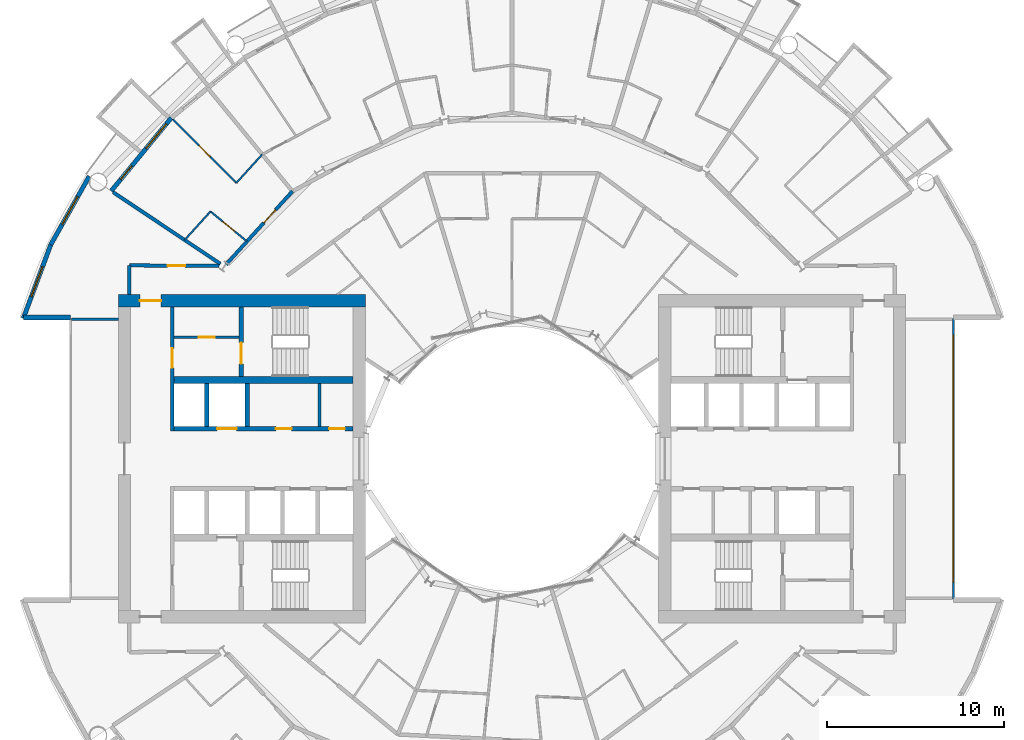
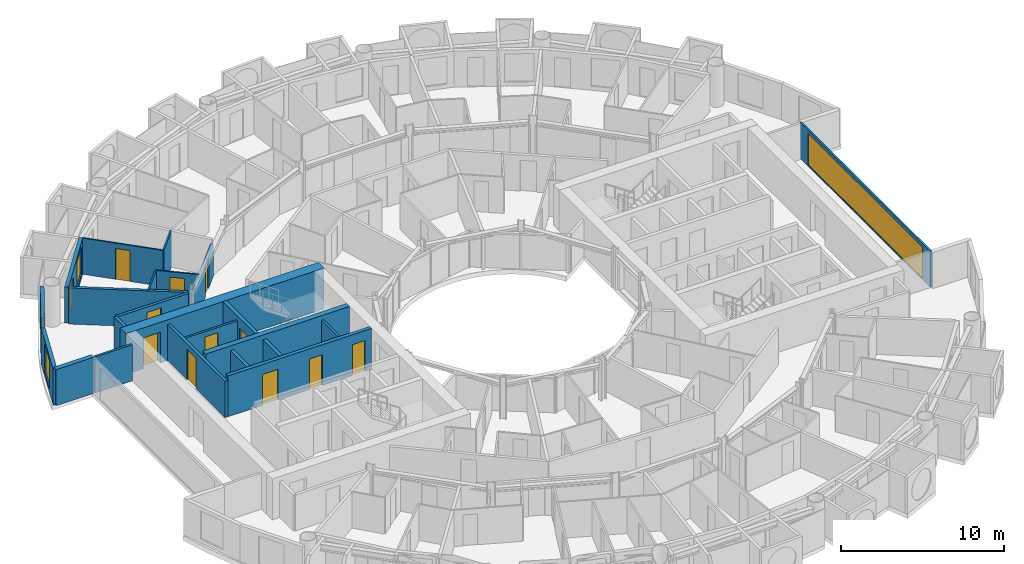
# One storey, part 18 of 26: 23 walls, 12 doors, 4 windows, 16 openings.
"""IFC4 building model written with IfcOpenShell, lengths in metres."""

from ifc_helpers import new_model, si_unit, direction, frame, frame_2d, origin, place, context, subcontext, project, spatial, rectangle, extrude, material, layer, layer_set, type_object, element, fill, save


model = new_model("IFC4")

# Units and contexts
model_context = context("Model", 3, precision=1e-05, world=origin(), true_north=direction((0.0, 1.0)))
body_context = subcontext(model_context, "Body", "Model", "MODEL_VIEW")
ifc_project = project(units=[si_unit("LENGTHUNIT", "METRE"), si_unit("AREAUNIT", "SQUARE_METRE"), si_unit("VOLUMEUNIT", "CUBIC_METRE"), si_unit("PLANEANGLEUNIT", "RADIAN"), si_unit("MASSUNIT", "GRAM", prefix="KILO")], contexts=[model_context])

# Site, building, storey
site_placement = place(None, origin())
site = spatial("IfcSite", under=ifc_project, at=site_placement, CompositionType="ELEMENT")
building_placement = place(site_placement, origin())
building = spatial("IfcBuilding", under=site, at=building_placement, Name="Maasbend Ring Residences", CompositionType="ELEMENT")
storey_placement = place(building_placement, frame((0.0, 0.0, 75.800048828125)))
storey = spatial("IfcBuildingStorey", under=building, at=storey_placement, Name="L21", CompositionType="ELEMENT", Elevation=75.800048828125)

# Wall, openings, doors
ifc_material_1 = material(Name="Concrete C70/85", Category="concrete")
ifc_layer_1 = layer(ifc_material_1, 0.25)
ifc_layer_set_1 = layer_set([ifc_layer_1], Name="Concrete C70/85")
wall_type_1 = type_object("IfcWallType", Name="CORE WALL 250 C70/85", PredefinedType="SHEAR", material=ifc_layer_set_1)
wall_1_placement = place(storey_placement, frame((-19.14990234375, 1.699951171875, 0.0), z_axis=(0.0, 0.0, 1.0), x_axis=(1.0, 0.0, 0.0)))
wall_1 = element("IfcWall", 1, at=wall_1_placement, inside=storey, type_object=wall_type_1, Name="L21 core W wall SPS", PredefinedType="SHEAR", context=body_context, shape_type="SweptSolid", body=[
    extrude(rectangle(XDim=10.14990234375, YDim=0.25, at=frame_2d((5.074951171875, 0.0))), origin(), (0.0, 0.0, 1.0), 3.050048828125),
])
opening_1_placement = place(wall_1_placement, frame((2.449951171875, 0.0, 0.0)))
opening_1 = element("IfcOpeningElement", 2, at=opening_1_placement, cuts=wall_1, Name="Opening LD-W2105", PredefinedType="OPENING", context=body_context, shape_type="SweptSolid", body=[
    extrude(rectangle(XDim=1.10009765625, YDim=2.300048828125, at=frame_2d((0.550048828125, 1.14990234375))), frame((0.0, 0.135009765625, 0.0), z_axis=(0.0, -1.0, 0.0), x_axis=(1.0, 0.0, 0.0)), (0.0, 0.0, 1.0), 0.27001953125),
])
opening_2_placement = place(wall_1_placement, frame((8.78759765625, 0.0, 0.0)))
opening_2 = element("IfcOpeningElement", 3, at=opening_2_placement, cuts=wall_1, Name="Opening D-W2106", PredefinedType="OPENING", context=body_context, shape_type="SweptSolid", body=[
    extrude(rectangle(XDim=0.89990234375, YDim=2.300048828125, at=frame_2d((0.449951171875, 1.14990234375))), frame((0.0, 0.135009765625, 0.0), z_axis=(0.0, -1.0, 0.0), x_axis=(1.0, 0.0, 0.0)), (0.0, 0.0, 1.0), 0.27001953125),
])
opening_3_placement = place(wall_1_placement, frame((5.77490234375, 0.0, 0.0)))
opening_3 = element("IfcOpeningElement", 4, at=opening_3_placement, cuts=wall_1, Name="Opening D-W2107", PredefinedType="OPENING", context=body_context, shape_type="SweptSolid", body=[
    extrude(rectangle(XDim=0.89990234375, YDim=2.300048828125, at=frame_2d((0.449951171875, 1.14990234375))), frame((0.0, 0.135009765625, 0.0), z_axis=(0.0, -1.0, 0.0), x_axis=(1.0, 0.0, 0.0)), (0.0, 0.0, 1.0), 0.27001953125),
])
ifc_material_2 = material(Name="Stainless steel 316", Category="steel")
door_type_1 = type_object("IfcDoorType", Name="LANDING DOOR 1100 X 2300 FD60", OperationType="DOUBLE_DOOR_SLIDING", PredefinedType="DOOR", material=ifc_material_2)
door_1_placement = place(opening_1_placement, origin())
door_1 = element("IfcDoor", 5, at=door_1_placement, inside=storey, type_object=door_type_1, Name="Landing door SV-W L21", OperationType="DOUBLE_DOOR_SLIDING", OverallHeight=2.300048828125, OverallWidth=1.10009765625, PredefinedType="DOOR", context=body_context, shape_type="SweptSolid", body=[
    extrude(rectangle(XDim=1.10009765625, YDim=2.300048828125, at=frame_2d((0.550048828125, 1.14990234375))), frame((0.0, 0.02490234375, 0.0), z_axis=(0.0, -1.0, 0.0), x_axis=(1.0, 0.0, 0.0)), (0.0, 0.0, 1.0), 0.050048828125),
])
fill(opening_1, door_1)
ifc_material_3 = material(Name="Steel, powder coated", Category="steel")
door_type_2 = type_object("IfcDoorType", Name="ROOM DOOR 900 X 2300 FD30S", OperationType="NOTDEFINED", PredefinedType="DOOR", material=ifc_material_3)
door_2_placement = place(opening_2_placement, origin())
door_2 = element("IfcDoor", 6, at=door_2_placement, inside=storey, type_object=door_type_2, Name="Room door L21", OperationType="SINGLE_SWING_LEFT", OverallHeight=2.300048828125, OverallWidth=0.89990234375, PredefinedType="DOOR", context=body_context, shape_type="SweptSolid", body=[
    extrude(rectangle(XDim=0.89990234375, YDim=2.300048828125, at=frame_2d((0.449951171875, 1.14990234375))), frame((0.0, 0.02490234375, 0.0), z_axis=(0.0, -1.0, 0.0), x_axis=(1.0, 0.0, 0.0)), (0.0, 0.0, 1.0), 0.050048828125),
])
fill(opening_2, door_2)
door_3_placement = place(opening_3_placement, origin())
door_3 = element("IfcDoor", 7, at=door_3_placement, inside=storey, type_object=door_type_2, Name="Room door L21", OperationType="SINGLE_SWING_LEFT", OverallHeight=2.300048828125, OverallWidth=0.89990234375, PredefinedType="DOOR", context=body_context, shape_type="SweptSolid", body=[
    extrude(rectangle(XDim=0.89990234375, YDim=2.300048828125, at=frame_2d((0.449951171875, 1.14990234375))), frame((0.0, 0.02490234375, 0.0), z_axis=(0.0, -1.0, 0.0), x_axis=(1.0, 0.0, 0.0)), (0.0, 0.0, 1.0), 0.050048828125),
])
fill(opening_3, door_3)

# Wall, opening, door
wall_2_placement = place(storey_placement, frame((-15.324951171875, 8.60009765625, 0.0), z_axis=(0.0, 0.0, 1.0), x_axis=(0.0, -1.0, 0.0)))
wall_2 = element("IfcWall", 8, at=wall_2_placement, inside=storey, type_object=wall_type_1, Name="L21 core W wall STES", PredefinedType="SHEAR", context=body_context, shape_type="SweptSolid", body=[
    extrude(rectangle(XDim=3.9501953125, YDim=0.25, at=frame_2d((1.97509765625, 0.0))), origin(), (0.0, 0.0, 1.0), 3.050048828125),
])
opening_4_placement = place(wall_2_placement, frame((2.02490234375, 0.0, 0.0)))
opening_4 = element("IfcOpeningElement", 9, at=opening_4_placement, cuts=wall_2, Name="Opening D-W2110", PredefinedType="OPENING", context=body_context, shape_type="SweptSolid", body=[
    extrude(rectangle(XDim=1.199951171875, YDim=2.300048828125, at=frame_2d((0.60009765625, 1.14990234375))), frame((0.0, 0.135009765625, 0.0), z_axis=(0.0, -1.0, 0.0), x_axis=(1.0, 0.0, 0.0)), (0.0, 0.0, 1.0), 0.27001953125),
])
ifc_material_4 = material(Name="Steel, powder coated", Category="steel")
door_type_3 = type_object("IfcDoorType", Name="STAIR DOOR 1200 X 2300 FD60", OperationType="NOTDEFINED", PredefinedType="DOOR", material=ifc_material_4)
door_4_placement = place(opening_4_placement, origin())
door_4 = element("IfcDoor", 10, at=door_4_placement, inside=storey, type_object=door_type_3, Name="Stair door ST-W L21", OperationType="SINGLE_SWING_LEFT", OverallHeight=2.300048828125, OverallWidth=1.199951171875, PredefinedType="DOOR", context=body_context, shape_type="SweptSolid", body=[
    extrude(rectangle(XDim=1.199951171875, YDim=2.300048828125, at=frame_2d((0.60009765625, 1.14990234375))), frame((0.0, 0.02490234375, 0.0), z_axis=(0.0, -1.0, 0.0), x_axis=(1.0, 0.0, 0.0)), (0.0, 0.0, 1.0), 0.050048828125),
])
fill(opening_4, door_4)

# Wall
ifc_material_5 = material(Name="Concrete C70/85", Category="concrete")
ifc_layer_2 = layer(ifc_material_5, 0.375)
ifc_layer_set_2 = layer_set([ifc_layer_2], Name="Concrete C70/85")
wall_type_2 = type_object("IfcWallType", Name="CORE WALL 375 C70/85", PredefinedType="SHEAR", material=ifc_layer_set_2)
wall_3_placement = place(storey_placement, frame((-9.0, 4.46240234375, 0.0), z_axis=(0.0, 0.0, 1.0), x_axis=(-1.0, 0.0, 0.0)))
element("IfcWall", 11, at=wall_3_placement, inside=storey, type_object=wall_type_2, Name="L21 core W wall BS", PredefinedType="SHEAR", context=body_context, shape_type="SweptSolid", body=[
    extrude(rectangle(XDim=10.14990234375, YDim=0.375, at=frame_2d((5.074951171875, 0.0))), origin(), (0.0, 0.0, 1.0), 3.050048828125),
])

# Wall, opening, door
ifc_material_6 = material(Name="Concrete C70/85", Category="concrete")
ifc_layer_3 = layer(ifc_material_6, 0.699951171875)
ifc_layer_set_3 = layer_set([ifc_layer_3], Name="Concrete C70/85")
wall_type_3 = type_object("IfcWallType", Name="CORE WALL 700 C70/85", PredefinedType="SHEAR", material=ifc_layer_set_3)
wall_4_placement = place(storey_placement, frame((-8.300048828125, 8.949951171875, 0.0), z_axis=(0.0, 0.0, 1.0), x_axis=(-1.0, 0.0, 0.0)))
wall_4 = element("IfcWall", 12, at=wall_4_placement, inside=storey, type_object=wall_type_3, Name="L21 core W wall PS", PredefinedType="SHEAR", context=body_context, shape_type="SweptSolid", body=[
    extrude(rectangle(XDim=14.0, YDim=0.699951171875, at=frame_2d((7.0, 0.0))), origin(), (0.0, 0.0, 1.0), 3.050048828125),
])
opening_5_placement = place(wall_4_placement, frame((11.574951171875, 0.0, 0.0)))
opening_5 = element("IfcOpeningElement", 13, at=opening_5_placement, cuts=wall_4, Name="Opening D-W2114", PredefinedType="OPENING", context=body_context, shape_type="SweptSolid", body=[
    extrude(rectangle(XDim=1.199951171875, YDim=2.300048828125, at=frame_2d((0.60009765625, 1.14990234375))), frame((0.0, 0.35986328125, 0.0), z_axis=(0.0, -1.0, 0.0), x_axis=(1.0, 0.0, 0.0)), (0.0, 0.0, 1.0), 0.719970703125),
])
ifc_material_7 = material(Name="Steel, powder coated", Category="steel")
door_type_4 = type_object("IfcDoorType", Name="CORRIDOR DOOR 1200 X 2300 FD30S", OperationType="NOTDEFINED", PredefinedType="DOOR", material=ifc_material_7)
door_5_placement = place(opening_5_placement, origin())
door_5 = element("IfcDoor", 14, at=door_5_placement, inside=storey, type_object=door_type_4, Name="Corridor door L21", OperationType="SINGLE_SWING_LEFT", OverallHeight=2.300048828125, OverallWidth=1.199951171875, PredefinedType="DOOR", context=body_context, shape_type="SweptSolid", body=[
    extrude(rectangle(XDim=1.199951171875, YDim=2.300048828125, at=frame_2d((0.60009765625, 1.14990234375))), frame((0.0, 0.02490234375, 0.0), z_axis=(0.0, -1.0, 0.0), x_axis=(1.0, 0.0, 0.0)), (0.0, 0.0, 1.0), 0.050048828125),
])
fill(opening_5, door_5)

ifc_material_8 = material(Name="Concrete C30/37", Category="concrete")
ifc_layer_4 = layer(ifc_material_8, 0.199951171875)
ifc_layer_set_4 = layer_set([ifc_layer_4], Name="Concrete C30/37")
wall_type_4 = type_object("IfcWallType", Name="CORRIDOR WALL 200 CONCRETE", PredefinedType="PARTITIONING", material=ifc_layer_set_4)
wall_5_placement = place(storey_placement, frame((-21.675048828125, 10.949951171875, 0.0), z_axis=(0.0, 0.0, 1.0), x_axis=(0.999987054722, -0.005088259783, 0.0)))
wall_5 = element("IfcWall", 15, at=wall_5_placement, inside=storey, type_object=wall_type_4, Name="U-L21-w096", PredefinedType="PARTITIONING", context=body_context, shape_type="SweptSolid", body=[
    extrude(rectangle(XDim=5.0859375, YDim=0.199951171875, at=frame_2d((2.54296875, 0.0))), origin(), (0.0, 0.0, 1.0), 2.699951171875),
])
opening_6_placement = place(wall_5_placement, frame((2.1630859375, 0.0, 0.0)))
opening_6 = element("IfcOpeningElement", 16, at=opening_6_placement, cuts=wall_5, Name="Opening D-2169", PredefinedType="OPENING", context=body_context, shape_type="SweptSolid", body=[
    extrude(rectangle(XDim=1.0, YDim=2.300048828125, at=frame_2d((0.5, 1.14990234375))), frame((0.0, 0.10986328125, 0.0), z_axis=(0.0, -1.0, 0.0), x_axis=(1.0, 0.0, 0.0)), (0.0, 0.0, 1.0), 0.219970703125),
])
ifc_material_9 = material(Name="Timber, painted", Category="wood")
door_type_5 = type_object("IfcDoorType", Name="ROOM DOOR 1000 X 2300", OperationType="NOTDEFINED", PredefinedType="DOOR", material=ifc_material_9)
door_6_placement = place(opening_6_placement, origin())
door_6 = element("IfcDoor", 17, at=door_6_placement, inside=storey, type_object=door_type_5, Name="D-2169", OperationType="SINGLE_SWING_RIGHT", OverallHeight=2.300048828125, OverallWidth=1.0, PredefinedType="DOOR", context=body_context, shape_type="SweptSolid", body=[
    extrude(rectangle(XDim=1.0, YDim=2.300048828125, at=frame_2d((0.5, 1.14990234375))), frame((0.0, 0.02490234375, 0.0), z_axis=(0.0, -1.0, 0.0), x_axis=(1.0, 0.0, 0.0)), (0.0, 0.0, 1.0), 0.050048828125),
])
fill(opening_6, door_6)

wall_6_placement = place(storey_placement, frame((-16.193115234375, 11.00390625, 0.0), z_axis=(0.0, 0.0, 1.0), x_axis=(0.671601747072, 0.740912338492, 0.0)))
wall_6 = element("IfcWall", 18, at=wall_6_placement, inside=storey, type_object=wall_type_4, Name="U-L21-w109", PredefinedType="PARTITIONING", context=body_context, shape_type="SweptSolid", body=[
    extrude(rectangle(XDim=5.59716796875, YDim=0.199951171875, at=frame_2d((2.798583984375, 0.0))), origin(), (0.0, 0.0, 1.0), 2.3798828125),
])
opening_7_placement = place(wall_6_placement, frame((3.179931640625, 0.0, 0.0)))
opening_7 = element("IfcOpeningElement", 19, at=opening_7_placement, cuts=wall_6, Name="Opening D-2118", PredefinedType="OPENING", context=body_context, shape_type="SweptSolid", body=[
    extrude(rectangle(XDim=1.0, YDim=2.300048828125, at=frame_2d((0.5, 1.14990234375))), frame((0.0, 0.10986328125, 0.0), z_axis=(0.0, -1.0, 0.0), x_axis=(1.0, 0.0, 0.0)), (0.0, 0.0, 1.0), 0.219970703125),
])
ifc_material_10 = material(Name="Timber, fire-rated, painted", Category="wood")
door_type_6 = type_object("IfcDoorType", Name="FLAT ENTRANCE DOOR 1000 X 2300 FIRE-RATED", OperationType="NOTDEFINED", PredefinedType="DOOR", material=ifc_material_10)
door_7_placement = place(opening_7_placement, origin())
door_7 = element("IfcDoor", 20, at=door_7_placement, inside=storey, type_object=door_type_6, Name="D-2118", OperationType="SINGLE_SWING_RIGHT", OverallHeight=2.300048828125, OverallWidth=1.0, PredefinedType="DOOR", context=body_context, shape_type="SweptSolid", body=[
    extrude(rectangle(XDim=1.0, YDim=2.300048828125, at=frame_2d((0.5, 1.14990234375))), frame((0.0, 0.02490234375, 0.0), z_axis=(0.0, -1.0, 0.0), x_axis=(1.0, 0.0, 0.0)), (0.0, 0.0, 1.0), 0.050048828125),
])
fill(opening_7, door_7)

# Wall
wall_7_placement = place(storey_placement, frame((-21.675048828125, 9.300048828125, 0.0), z_axis=(0.0, 0.0, 1.0), x_axis=(0.0, 1.0, 0.0)))
element("IfcWall", 21, at=wall_7_placement, inside=storey, type_object=wall_type_4, Name="U-L21-w116", PredefinedType="PARTITIONING", context=body_context, shape_type="SweptSolid", body=[
    extrude(rectangle(XDim=1.64990234375, YDim=0.199951171875, at=frame_2d((0.824951171875, 0.0))), origin(), (0.0, 0.0, 1.0), 2.699951171875),
])

# Wall, openings, door, window
ifc_material_11 = material(Name="Aluminium clad insulated panel", Category="aluminium")
ifc_layer_5 = layer(ifc_material_11, 0.25)
ifc_layer_set_5 = layer_set([ifc_layer_5], Name="EW-GL")
wall_type_5 = type_object("IfcWallType", Name="EW-GL", PredefinedType="SOLIDWALL", material=ifc_layer_set_5)
wall_8_placement = place(storey_placement, frame((-19.303955078125, 19.303955078125, 0.0), z_axis=(0.0, 0.0, 1.0), x_axis=(-0.634382322723, -0.773019449054, 0.0)))
wall_8 = element("IfcWall", 22, at=wall_8_placement, inside=storey, type_object=wall_type_5, Name="External wall N10", PredefinedType="SOLIDWALL", context=body_context, shape_type="SweptSolid", body=[
    extrude(rectangle(XDim=5.351806640625, YDim=0.25, at=frame_2d((2.67578125, 0.0))), origin(), (0.0, 0.0, 1.0), 2.699951171875),
])
opening_8_placement = place(wall_8_placement, frame((0.441162109375, 0.0, 0.300048828125)))
opening_8 = element("IfcOpeningElement", 23, at=opening_8_placement, cuts=wall_8, Name="Opening W-BX", PredefinedType="OPENING", context=body_context, shape_type="SweptSolid", body=[
    extrude(rectangle(XDim=1.800048828125, YDim=2.10009765625, at=frame_2d((0.89990234375, 1.050048828125))), frame((0.0, 0.135009765625, 0.0), z_axis=(0.0, -1.0, 0.0), x_axis=(1.0, 0.0, 0.0)), (0.0, 0.0, 1.0), 0.27001953125),
])
opening_9_placement = place(wall_8_placement, frame((3.510498046875, 0.0, 0.0)))
opening_9 = element("IfcOpeningElement", 24, at=opening_9_placement, cuts=wall_8, Name="Opening D-LG", PredefinedType="OPENING", context=body_context, shape_type="SweptSolid", body=[
    extrude(rectangle(XDim=1.0, YDim=2.199951171875, at=frame_2d((0.5, 1.10009765625))), frame((0.0, 0.135009765625, 0.0), z_axis=(0.0, -1.0, 0.0), x_axis=(1.0, 0.0, 0.0)), (0.0, 0.0, 1.0), 0.27001953125),
])
ifc_material_12 = material(Name="Aluminium and clear glass", Category="aluminium")
door_type_7 = type_object("IfcDoorType", Name="D-LG", OperationType="SINGLE_SWING_LEFT", PredefinedType="DOOR", material=ifc_material_12)
door_8_placement = place(opening_9_placement, origin())
door_8 = element("IfcDoor", 25, at=door_8_placement, inside=storey, type_object=door_type_7, Name="Loggia door N20", OperationType="SINGLE_SWING_LEFT", OverallHeight=2.199951171875, OverallWidth=1.0, PredefinedType="DOOR", context=body_context, shape_type="SweptSolid", body=[
    extrude(rectangle(XDim=1.0, YDim=2.199951171875, at=frame_2d((0.5, 1.10009765625))), frame((0.0, 0.02490234375, 0.0), z_axis=(0.0, -1.0, 0.0), x_axis=(1.0, 0.0, 0.0)), (0.0, 0.0, 1.0), 0.050048828125),
])
fill(opening_9, door_8)
ifc_material_13 = material(Name="Aluminium and clear glass", Category="aluminium")
window_type_1 = type_object("IfcWindowType", Name="W-BX", PartitioningType="DOUBLE_PANEL_VERTICAL", PredefinedType="WINDOW", material=ifc_material_13)
window_1_placement = place(opening_8_placement, origin())
window_1 = element("IfcWindow", 26, at=window_1_placement, inside=storey, type_object=window_type_1, Name="Window N19 room to box", OverallHeight=2.10009765625, OverallWidth=1.800048828125, PartitioningType="SINGLE_PANEL", PredefinedType="WINDOW", context=body_context, shape_type="SweptSolid", body=[
    extrude(rectangle(XDim=1.800048828125, YDim=2.10009765625, at=frame_2d((0.89990234375, 1.050048828125))), frame((0.0, 0.030029296875, 0.0), z_axis=(0.0, -1.0, 0.0), x_axis=(1.0, 0.0, 0.0)), (0.0, 0.0, 1.0), 0.06005859375),
])
fill(opening_8, window_1)

# Wall, opening, window
ifc_material_14 = material(Name="Aluminium clad insulated panel", Category="aluminium")
ifc_layer_6 = layer(ifc_material_14, 0.25)
ifc_layer_set_6 = layer_set([ifc_layer_6], Name="EW-HORN")
wall_type_6 = type_object("IfcWallType", Name="EW-HORN", PredefinedType="SOLIDWALL", material=ifc_layer_set_6)
wall_9_placement = place(storey_placement, frame((-23.946044921875, 16.0, 0.0), z_axis=(0.0, 0.0, 1.0), x_axis=(-0.489696356642, -0.871893042919, 0.0)))
wall_9 = element("IfcWall", 27, at=wall_9_placement, inside=storey, type_object=wall_type_6, Name="Horn wall 4.1", PredefinedType="SOLIDWALL", context=body_context, shape_type="SweptSolid", body=[
    extrude(rectangle(XDim=4.45361328125, YDim=0.25, at=frame_2d((2.226806640625, 0.0))), origin(), (0.0, 0.0, 1.0), 2.699951171875),
])
opening_10_placement = place(wall_9_placement, frame((1.32666015625, 0.0, 0.300048828125)))
opening_10 = element("IfcOpeningElement", 28, at=opening_10_placement, cuts=wall_9, Name="Opening W-BX", PredefinedType="OPENING", context=body_context, shape_type="SweptSolid", body=[
    extrude(rectangle(XDim=1.800048828125, YDim=2.10009765625, at=frame_2d((0.89990234375, 1.050048828125))), frame((0.0, 0.135009765625, 0.0), z_axis=(0.0, -1.0, 0.0), x_axis=(1.0, 0.0, 0.0)), (0.0, 0.0, 1.0), 0.27001953125),
])
window_2_placement = place(opening_10_placement, origin())
window_2 = element("IfcWindow", 29, at=window_2_placement, inside=storey, type_object=window_type_1, Name="Horn window 4.1", OverallHeight=2.10009765625, OverallWidth=1.800048828125, PartitioningType="SINGLE_PANEL", PredefinedType="WINDOW", context=body_context, shape_type="SweptSolid", body=[
    extrude(rectangle(XDim=1.800048828125, YDim=2.10009765625, at=frame_2d((0.89990234375, 1.050048828125))), frame((0.0, 0.030029296875, 0.0), z_axis=(0.0, -1.0, 0.0), x_axis=(1.0, 0.0, 0.0)), (0.0, 0.0, 1.0), 0.06005859375),
])
fill(opening_10, window_2)

wall_10_placement = place(storey_placement, frame((-26.126953125, 12.116943359375, 0.0), z_axis=(0.0, 0.0, 1.0), x_axis=(-0.349247811493, -0.937030397675, 0.0)))
wall_10 = element("IfcWall", 30, at=wall_10_placement, inside=storey, type_object=wall_type_6, Name="Horn wall 4.2", PredefinedType="SOLIDWALL", context=body_context, shape_type="SweptSolid", body=[
    extrude(rectangle(XDim=4.4521484375, YDim=0.25, at=frame_2d((2.22607421875, 0.0))), origin(), (0.0, 0.0, 1.0), 2.699951171875),
])
opening_11_placement = place(wall_10_placement, frame((1.32666015625, 0.0, 0.300048828125)))
opening_11 = element("IfcOpeningElement", 31, at=opening_11_placement, cuts=wall_10, Name="Opening W-BX", PredefinedType="OPENING", context=body_context, shape_type="SweptSolid", body=[
    extrude(rectangle(XDim=1.800048828125, YDim=2.10009765625, at=frame_2d((0.89990234375, 1.050048828125))), frame((0.0, 0.135009765625, 0.0), z_axis=(0.0, -1.0, 0.0), x_axis=(1.0, 0.0, 0.0)), (0.0, 0.0, 1.0), 0.27001953125),
])
window_3_placement = place(opening_11_placement, origin())
window_3 = element("IfcWindow", 32, at=window_3_placement, inside=storey, type_object=window_type_1, Name="Horn window 4.2", OverallHeight=2.10009765625, OverallWidth=1.800048828125, PartitioningType="SINGLE_PANEL", PredefinedType="WINDOW", context=body_context, shape_type="SweptSolid", body=[
    extrude(rectangle(XDim=1.800048828125, YDim=2.10009765625, at=frame_2d((0.89990234375, 1.050048828125))), frame((0.0, 0.030029296875, 0.0), z_axis=(0.0, -1.0, 0.0), x_axis=(1.0, 0.0, 0.0)), (0.0, 0.0, 1.0), 0.06005859375),
])
fill(opening_11, window_3)

# Wall
ifc_material_15 = material(Name="Aluminium clad insulated panel", Category="aluminium")
ifc_layer_7 = layer(ifc_material_15, 0.300048828125)
ifc_layer_set_7 = layer_set([ifc_layer_7], Name="EW-RET")
wall_type_7 = type_object("IfcWallType", Name="EW-RET", PredefinedType="SOLIDWALL", material=ifc_layer_set_7)
wall_11_placement = place(storey_placement, frame((-25.0, 8.0, 0.0), z_axis=(0.0, 0.0, 1.0), x_axis=(-1.0, 0.0, 0.0)))
element("IfcWall", 33, at=wall_11_placement, inside=storey, type_object=wall_type_7, Name="Notch return wall west north", PredefinedType="SOLIDWALL", context=body_context, shape_type="SweptSolid", body=[
    extrude(rectangle(XDim=2.6669921875, YDim=0.300048828125, at=frame_2d((1.33349609375, 0.0))), origin(), (0.0, 0.0, 1.0), 2.699951171875),
])

# Wall, opening, window
ifc_material_16 = material(Name="Aluminium frame and clear glass", Category="aluminium")
ifc_layer_8 = layer(ifc_material_16, 0.1201171875)
ifc_layer_set_8 = layer_set([ifc_layer_8], Name="GLAZED SCREEN WALL 120 EI 60")
wall_type_8 = type_object("IfcWallType", Name="GLAZED SCREEN WALL 120 EI 60", PredefinedType="PARTITIONING", material=ifc_layer_set_8)
wall_12_placement = place(storey_placement, frame((25.0, -7.949951171875, 0.0), z_axis=(0.0, 0.0, 1.0), x_axis=(0.0, 1.0, 0.0)))
wall_12 = element("IfcWall", 34, at=wall_12_placement, inside=storey, type_object=wall_type_8, Name="L21 core E wall FACE", PredefinedType="PARTITIONING", context=body_context, shape_type="SweptSolid", body=[
    extrude(rectangle(XDim=15.89990234375, YDim=0.1201171875, at=frame_2d((7.949951171875, 0.0))), origin(), (0.0, 0.0, 1.0), 2.699951171875),
])
opening_12_placement = place(wall_12_placement, frame((0.949951171875, 0.0, 0.10009765625)))
opening_12 = element("IfcOpeningElement", 35, at=opening_12_placement, cuts=wall_12, Name="Opening W-E2102", PredefinedType="OPENING", context=body_context, shape_type="SweptSolid", body=[
    extrude(rectangle(XDim=14.0, YDim=2.35009765625, at=frame_2d((7.0, 1.175048828125))), frame((0.0, 0.070068359375, 0.0), z_axis=(0.0, -1.0, 0.0), x_axis=(1.0, 0.0, 0.0)), (0.0, 0.0, 1.0), 0.14013671875),
])
ifc_material_17 = material(Name="Aluminium frame and clear glass", Category="aluminium")
window_type_2 = type_object("IfcWindowType", Name="FIXED WINDOW 14000 X 2350", PartitioningType="SINGLE_PANEL", PredefinedType="WINDOW", material=ifc_material_17)
window_4_placement = place(opening_12_placement, origin())
window_4 = element("IfcWindow", 36, at=window_4_placement, inside=storey, type_object=window_type_2, Name="Lobby window L21", OverallHeight=2.35009765625, OverallWidth=14.0, PartitioningType="SINGLE_PANEL", PredefinedType="WINDOW", context=body_context, shape_type="SweptSolid", body=[
    extrude(rectangle(XDim=14.0, YDim=2.35009765625, at=frame_2d((7.0, 1.175048828125))), frame((0.0, 0.030029296875, 0.0), z_axis=(0.0, -1.0, 0.0), x_axis=(1.0, 0.0, 0.0)), (0.0, 0.0, 1.0), 0.06005859375),
])
fill(opening_12, window_4)

# Wall, opening, door
ifc_material_18 = material(Name="Gypsum board on steel studs", Category="steel")
ifc_layer_9 = layer(ifc_material_18, 0.10009765625)
ifc_layer_set_9 = layer_set([ifc_layer_9], Name="PARTITION 100 GYPSUM")
wall_type_9 = type_object("IfcWallType", Name="PARTITION 100 GYPSUM", PredefinedType="PARTITIONING", material=ifc_layer_set_9)
wall_13_placement = place(storey_placement, frame((-19.2109375, 19.220947265625, 0.0), z_axis=(0.0, 0.0, 1.0), x_axis=(0.706914880313, -0.707298629994, 0.0)))
wall_13 = element("IfcWall", 37, at=wall_13_placement, inside=storey, type_object=wall_type_9, Name="U-L21-w038", PredefinedType="PARTITIONING", context=body_context, shape_type="SweptSolid", body=[
    extrude(rectangle(XDim=5.089599609375, YDim=0.10009765625, at=frame_2d((2.544921875, 0.0))), origin(), (0.0, 0.0, 1.0), 2.699951171875),
])
opening_13_placement = place(wall_13_placement, frame((2.094970703125, 0.0, 0.0)))
opening_13 = element("IfcOpeningElement", 38, at=opening_13_placement, cuts=wall_13, Name="Opening D-2120", PredefinedType="OPENING", context=body_context, shape_type="SweptSolid", body=[
    extrude(rectangle(XDim=0.89990234375, YDim=2.300048828125, at=frame_2d((0.449951171875, 1.14990234375))), frame((0.0, 0.06005859375, 0.0), z_axis=(0.0, -1.0, 0.0), x_axis=(1.0, 0.0, 0.0)), (0.0, 0.0, 1.0), 0.1201171875),
])
ifc_material_19 = material(Name="Timber, painted", Category="wood")
door_type_8 = type_object("IfcDoorType", Name="INTERNAL DOOR 900 X 2300", OperationType="NOTDEFINED", PredefinedType="DOOR", material=ifc_material_19)
door_9_placement = place(opening_13_placement, origin())
door_9 = element("IfcDoor", 39, at=door_9_placement, inside=storey, type_object=door_type_8, Name="D-2120", OperationType="SINGLE_SWING_LEFT", OverallHeight=2.300048828125, OverallWidth=0.89990234375, PredefinedType="DOOR", context=body_context, shape_type="SweptSolid", body=[
    extrude(rectangle(XDim=0.89990234375, YDim=2.300048828125, at=frame_2d((0.449951171875, 1.14990234375))), frame((0.0, 0.02490234375, 0.0), z_axis=(0.0, -1.0, 0.0), x_axis=(1.0, 0.0, 0.0)), (0.0, 0.0, 1.0), 0.050048828125),
])
fill(opening_13, door_9)

wall_14_placement = place(storey_placement, frame((-17.077880859375, 14.0048828125, 0.0), z_axis=(0.0, 0.0, 1.0), x_axis=(0.773240932873, -0.634112339992, 0.0)))
wall_14 = element("IfcWall", 40, at=wall_14_placement, inside=storey, type_object=wall_type_9, Name="U-L21-w042", PredefinedType="PARTITIONING", context=body_context, shape_type="SweptSolid", body=[
    extrude(rectangle(XDim=2.67431640625, YDim=0.10009765625, at=frame_2d((1.337158203125, 0.0))), origin(), (0.0, 0.0, 1.0), 2.699951171875),
])
opening_14_placement = place(wall_14_placement, frame((0.886962890625, 0.0, 0.0)))
opening_14 = element("IfcOpeningElement", 41, at=opening_14_placement, cuts=wall_14, Name="Opening D-2119", PredefinedType="OPENING", context=body_context, shape_type="SweptSolid", body=[
    extrude(rectangle(XDim=0.89990234375, YDim=2.300048828125, at=frame_2d((0.449951171875, 1.14990234375))), frame((0.0, 0.06005859375, 0.0), z_axis=(0.0, -1.0, 0.0), x_axis=(1.0, 0.0, 0.0)), (0.0, 0.0, 1.0), 0.1201171875),
])
door_10_placement = place(opening_14_placement, origin())
door_10 = element("IfcDoor", 42, at=door_10_placement, inside=storey, type_object=door_type_8, Name="D-2119", OperationType="SINGLE_SWING_RIGHT", OverallHeight=2.300048828125, OverallWidth=0.89990234375, PredefinedType="DOOR", context=body_context, shape_type="SweptSolid", body=[
    extrude(rectangle(XDim=0.89990234375, YDim=2.300048828125, at=frame_2d((0.449951171875, 1.14990234375))), frame((0.0, 0.02490234375, 0.0), z_axis=(0.0, -1.0, 0.0), x_axis=(1.0, 0.0, 0.0)), (0.0, 0.0, 1.0), 0.050048828125),
])
fill(opening_14, door_10)

# Walls
wall_15_placement = place(storey_placement, frame((-18.5380859375, 12.39404296875, 0.0), z_axis=(0.0, 0.0, 1.0), x_axis=(0.67169789574, 0.740825172937, 0.0)))
element("IfcWall", 43, at=wall_15_placement, inside=storey, type_object=wall_type_9, Name="U-L21-w121", PredefinedType="PARTITIONING", context=body_context, shape_type="SweptSolid", body=[
    extrude(rectangle(XDim=2.1826171875, YDim=0.10009765625, at=frame_2d((1.09130859375, 0.0))), origin(), (0.0, 0.0, 1.0), 2.699951171875),
])
wall_16_placement = place(storey_placement, frame((-15.612060546875, 15.6220703125, 0.0), z_axis=(0.0, 0.0, 1.0), x_axis=(0.671674967707, 0.740845960882, 0.0)))
element("IfcWall", 44, at=wall_16_placement, inside=storey, type_object=wall_type_9, Name="U-L21-w122", PredefinedType="PARTITIONING", context=body_context, shape_type="SweptSolid", body=[
    extrude(rectangle(XDim=2.18115234375, YDim=0.10009765625, at=frame_2d((1.090576171875, 0.0))), origin(), (0.0, 0.0, 1.0), 2.699951171875),
])
ifc_material_20 = material(Name="Gypsum board on steel studs", Category="steel")
ifc_layer_10 = layer(ifc_material_20, 0.14990234375)
ifc_layer_set_10 = layer_set([ifc_layer_10], Name="PARTITION 150 EI 60")
wall_type_10 = type_object("IfcWallType", Name="PARTITION 150 EI 60", PredefinedType="PARTITIONING", material=ifc_layer_set_10)
wall_17_placement = place(storey_placement, frame((-10.89990234375, 1.824951171875, 0.0), z_axis=(0.0, 0.0, 1.0), x_axis=(0.0, 1.0, 0.0)))
element("IfcWall", 45, at=wall_17_placement, inside=storey, type_object=wall_type_10, Name="L21 core W wall PRS1090", PredefinedType="PARTITIONING", context=body_context, shape_type="SweptSolid", body=[
    extrude(rectangle(XDim=2.449951171875, YDim=0.14990234375, at=frame_2d((1.22509765625, 0.0))), origin(), (0.0, 0.0, 1.0), 2.699951171875),
])

# Wall, opening, door
wall_18_placement = place(storey_placement, frame((-15.449951171875, 6.875, 0.0), z_axis=(0.0, 0.0, 1.0), x_axis=(-1.0, 0.0, 0.0)))
wall_18 = element("IfcWall", 46, at=wall_18_placement, inside=storey, type_object=wall_type_10, Name="L21 core W wall RHS", PredefinedType="PARTITIONING", context=body_context, shape_type="SweptSolid", body=[
    extrude(rectangle(XDim=3.699951171875, YDim=0.14990234375, at=frame_2d((1.85009765625, 0.0))), origin(), (0.0, 0.0, 1.0), 2.699951171875),
])
opening_15_placement = place(wall_18_placement, frame((1.39990234375, 0.0, 0.0)))
opening_15 = element("IfcOpeningElement", 47, at=opening_15_placement, cuts=wall_18, Name="Opening D-W2108", PredefinedType="OPENING", context=body_context, shape_type="SweptSolid", body=[
    extrude(rectangle(XDim=0.89990234375, YDim=2.300048828125, at=frame_2d((0.449951171875, 1.14990234375))), frame((0.0, 0.0849609375, 0.0), z_axis=(0.0, -1.0, 0.0), x_axis=(1.0, 0.0, 0.0)), (0.0, 0.0, 1.0), 0.169921875),
])
ifc_material_21 = material(Name="Steel, powder coated", Category="steel")
door_type_9 = type_object("IfcDoorType", Name="RISER DOOR 900 X 2300 FD60", OperationType="NOTDEFINED", PredefinedType="DOOR", material=ifc_material_21)
door_11_placement = place(opening_15_placement, origin())
door_11 = element("IfcDoor", 48, at=door_11_placement, inside=storey, type_object=door_type_9, Name="Riser door L21", OperationType="SINGLE_SWING_LEFT", OverallHeight=2.300048828125, OverallWidth=0.89990234375, PredefinedType="DOOR", context=body_context, shape_type="SweptSolid", body=[
    extrude(rectangle(XDim=0.89990234375, YDim=2.300048828125, at=frame_2d((0.449951171875, 1.14990234375))), frame((0.0, 0.02490234375, 0.0), z_axis=(0.0, -1.0, 0.0), x_axis=(1.0, 0.0, 0.0)), (0.0, 0.0, 1.0), 0.050048828125),
])
fill(opening_15, door_11)

# Walls
wall_19_placement = place(storey_placement, frame((-22.300048828125, 7.89990234375, 0.0), z_axis=(0.0, 0.0, 1.0), x_axis=(-1.0, 0.0, 0.0)))
element("IfcWall", 49, at=wall_19_placement, inside=storey, type_object=wall_type_10, Name="L21 core W wall CITS", PredefinedType="PARTITIONING", context=body_context, shape_type="SweptSolid", body=[
    extrude(rectangle(XDim=2.639892578125, YDim=0.14990234375, at=frame_2d((1.31982421875, 0.0))), origin(), (0.0, 0.0, 1.0), 2.699951171875),
])
ifc_material_22 = material(Name="Concrete C30/37", Category="concrete")
ifc_layer_11 = layer(ifc_material_22, 0.199951171875)
ifc_layer_set_11 = layer_set([ifc_layer_11], Name="Concrete C30/37")
wall_type_11 = type_object("IfcWallType", Name="PARTY WALL 200 CONCRETE", PredefinedType="PARTITIONING", material=ifc_layer_set_11)
wall_20_placement = place(storey_placement, frame((-22.594970703125, 15.097900390625, 0.0), z_axis=(0.0, 0.0, 1.0), x_axis=(0.831382022135, -0.555701298605, 0.0)))
element("IfcWall", 50, at=wall_20_placement, inside=storey, type_object=wall_type_11, Name="U-L21-w032", PredefinedType="PARTITIONING", context=body_context, shape_type="SweptSolid", body=[
    extrude(rectangle(XDim=7.313232421875, YDim=0.199951171875, at=frame_2d((3.65673828125, 0.0))), origin(), (0.0, 0.0, 1.0), 2.699951171875),
])

# Wall, opening, door
ifc_material_23 = material(Name="Concrete C30/37", Category="concrete")
ifc_layer_12 = layer(ifc_material_23, 0.199951171875)
ifc_layer_set_12 = layer_set([ifc_layer_12], Name="Concrete C30/37")
wall_type_12 = type_object("IfcWallType", Name="SHAFT WALL 200 EI 120", PredefinedType="SOLIDWALL", material=ifc_layer_set_12)
wall_21_placement = place(storey_placement, frame((-19.25, 8.60009765625, 0.0), z_axis=(0.0, 0.0, 1.0), x_axis=(0.0, -1.0, 0.0)))
wall_21 = element("IfcWall", 51, at=wall_21_placement, inside=storey, type_object=wall_type_12, Name="L21 core W wall ENDS", PredefinedType="SOLIDWALL", context=body_context, shape_type="SweptSolid", body=[
    extrude(rectangle(XDim=7.025146484375, YDim=0.199951171875, at=frame_2d((3.5126953125, 0.0))), origin(), (0.0, 0.0, 1.0), 2.699951171875),
])
opening_16_placement = place(wall_21_placement, frame((2.35009765625, 0.0, 0.0)))
opening_16 = element("IfcOpeningElement", 52, at=opening_16_placement, cuts=wall_21, Name="Opening D-W2112", PredefinedType="OPENING", context=body_context, shape_type="SweptSolid", body=[
    extrude(rectangle(XDim=1.10009765625, YDim=2.300048828125, at=frame_2d((0.550048828125, 1.14990234375))), frame((0.0, 0.10986328125, 0.0), z_axis=(0.0, -1.0, 0.0), x_axis=(1.0, 0.0, 0.0)), (0.0, 0.0, 1.0), 0.219970703125),
])
ifc_material_24 = material(Name="Steel, powder coated", Category="steel")
door_type_10 = type_object("IfcDoorType", Name="LOBBY DOOR 1100 X 2300 FD60", OperationType="NOTDEFINED", PredefinedType="DOOR", material=ifc_material_24)
door_12_placement = place(opening_16_placement, origin())
door_12 = element("IfcDoor", 53, at=door_12_placement, inside=storey, type_object=door_type_10, Name="Lobby door L21", OperationType="SINGLE_SWING_RIGHT", OverallHeight=2.300048828125, OverallWidth=1.10009765625, PredefinedType="DOOR", context=body_context, shape_type="SweptSolid", body=[
    extrude(rectangle(XDim=1.10009765625, YDim=2.300048828125, at=frame_2d((0.550048828125, 1.14990234375))), frame((0.0, 0.02490234375, 0.0), z_axis=(0.0, -1.0, 0.0), x_axis=(1.0, 0.0, 0.0)), (0.0, 0.0, 1.0), 0.050048828125),
])
fill(opening_16, door_12)

# Walls
ifc_material_25 = material(Name="Concrete C30/37", Category="concrete")
ifc_layer_13 = layer(ifc_material_25, 0.25)
ifc_layer_set_13 = layer_set([ifc_layer_13], Name="Concrete C30/37")
wall_type_13 = type_object("IfcWallType", Name="SHAFT WALL 250 EI 120", PredefinedType="SOLIDWALL", material=ifc_layer_set_13)
for number, where, z_axis, x_axis, name in (
    (54, (-15.0, 1.824951171875, 0.0), (0.0, 0.0, 1.0), (0.0, 1.0, 0.0), "L21 core W wall D150S"),
    (55, (-17.300048828125, 1.824951171875, 0.0), (0.0, 0.0, 1.0), (0.0, 1.0, 0.0), "L21 core W wall D173S"),
):
    element("IfcWall", number, at=place(storey_placement, frame(where, z_axis=z_axis, x_axis=x_axis)), inside=storey, type_object=wall_type_13, Name=name, PredefinedType="SOLIDWALL", context=body_context, shape_type="SweptSolid", body=[
        extrude(rectangle(XDim=2.449951171875, YDim=0.25, at=frame_2d((1.22509765625, 0.0))), origin(), (0.0, 0.0, 1.0), 2.699951171875),
    ])

save(model, "model.ifc")
